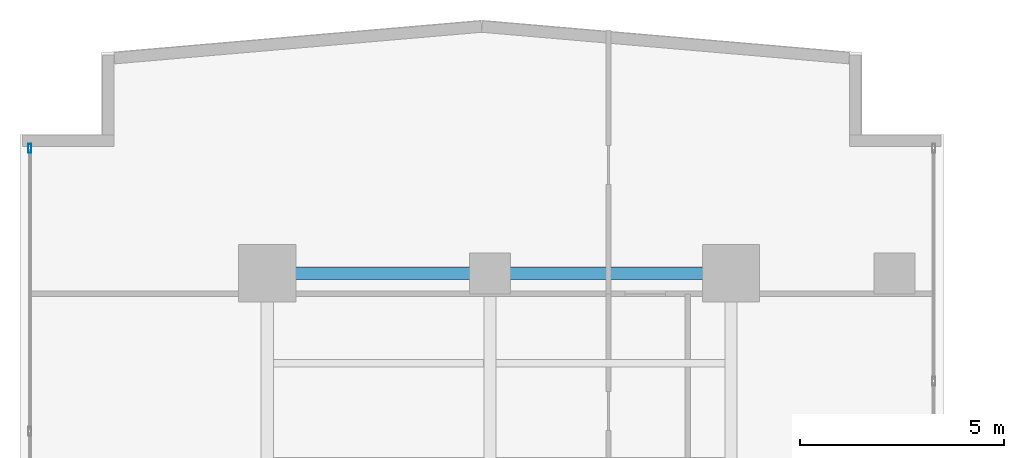
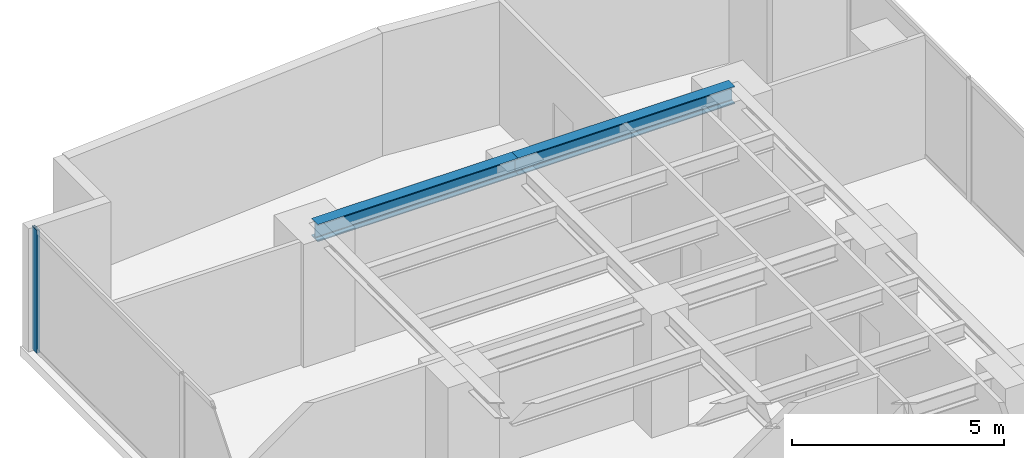
# One storey, part 16 of 24: 2 beams, 1 member, 1 element without a shape of its own.
"""IFC4 building model written with IfcOpenShell, lengths in metres."""

from ifc_helpers import new_model, si_unit, direction, frame, origin, origin_with_axes, origin_2d, place, context, subcontext, project, spatial, hollow_rectangle, i_section, extrude, source, transform, mapped, material, layer, layer_set, material_profile, profile_set, type_object, element, aggregate, save


model = new_model("IFC4")

# Units and contexts
model_context = context("Model", 3, precision=1e-05, world=origin(), true_north=direction((0.0, 1.0)))
body_context = subcontext(model_context, "Body", "Model", "MODEL_VIEW")
ifc_project = project(units=[si_unit("LENGTHUNIT", "METRE"), si_unit("AREAUNIT", "SQUARE_METRE"), si_unit("VOLUMEUNIT", "CUBIC_METRE"), si_unit("PLANEANGLEUNIT", "RADIAN"), si_unit("MASSUNIT", "GRAM", prefix="KILO")], contexts=[model_context])

# Site, building, storey
site_placement = place(None, origin())
site = spatial("IfcSite", under=ifc_project, at=site_placement, CompositionType="ELEMENT")
building_placement = place(site_placement, origin())
building = spatial("IfcBuilding", under=site, at=building_placement, Name="Kolvaren Waterfront Exchange", CompositionType="ELEMENT")
storey_placement = place(building_placement, frame((0.0, 0.0, 91.699951171875)))
storey = spatial("IfcBuildingStorey", under=building, at=storey_placement, Name="L23", CompositionType="ELEMENT", Elevation=91.699951171875)

# Beams
ifc_material_1 = material(Name="Steel S355", Category="steel")
ifc_material_profile_1 = material_profile(ifc_material_1, i_section(OverallWidth=0.300048828125, OverallDepth=0.5, WebThickness=0.014404296875, FlangeThickness=0.028076171875, FilletRadius=0.027099609375, at=origin_2d()), Name="HEB500")
ifc_profile_set_1 = profile_set([ifc_material_profile_1], Name="Steel S355")
beam_type = type_object("IfcBeamType", Name="STR-BM-HEB500", PredefinedType="BEAM", material=ifc_profile_set_1)
beam_1_placement = place(storey_placement, frame((7.449951171875, 44.60009765625, 3.2900390625), z_axis=(1.0, 0.0, 0.0), x_axis=(0.0, 1.0, 0.0)))
element("IfcBeam", 1, at=beam_1_placement, inside=storey, type_object=beam_type, Name="L23 north-arm girder 4A", PredefinedType="BEAM", context=body_context, shape_type="SweptSolid", body=[
    extrude(i_section(OverallWidth=0.300048828125, OverallDepth=0.5, WebThickness=0.014404296875, FlangeThickness=0.028076171875, FilletRadius=0.027099609375, at=origin_2d()), origin(), (0.0, 0.0, 1.0), 5.449951171875),
])
beam_2_placement = place(storey_placement, frame((12.89990234375, 44.60009765625, 3.2900390625), z_axis=(1.0, 0.0, 0.0), x_axis=(0.0, 1.0, 0.0)))
element("IfcBeam", 2, at=beam_2_placement, inside=storey, type_object=beam_type, Name="L23 north-arm girder 4B", PredefinedType="BEAM", context=body_context, shape_type="SweptSolid", body=[
    extrude(i_section(OverallWidth=0.300048828125, OverallDepth=0.5, WebThickness=0.014404296875, FlangeThickness=0.028076171875, FilletRadius=0.027099609375, at=origin_2d()), origin(), (0.0, 0.0, 1.0), 5.900146484375),
])

# Curtain wall, member
ifc_material_2 = material(Name="Anodised aluminium 6063-T6", Category="aluminium")
ifc_layer = layer(ifc_material_2, 0.219970703125, Name="Anodised aluminium 6063-T6")
ifc_layer_set = layer_set([ifc_layer], Name="Anodised aluminium 6063-T6")
curtain_wall_type = type_object("IfcCurtainWallType", Name="ARC-CW-SYS2", PredefinedType="USERDEFINED", material=ifc_layer_set)
curtain_wall_placement = place(storey_placement, origin())
curtain_wall = element("IfcCurtainWall", 3, at=curtain_wall_placement, inside=storey, type_object=curtain_wall_type, Name="L23 stick curtain wall CW2 (CW-L23-W)", ObjectType="STICK CURTAIN WALL", PredefinedType="USERDEFINED")
ifc_material_profile_2 = material_profile(ifc_material_2, hollow_rectangle(XDim=0.080078125, YDim=0.219970703125, WallThickness=0.0048828125, at=origin_2d()), Name="ALU-MUL-220x80x5")
ifc_profile_set_2 = profile_set([ifc_material_profile_2], Name="Anodised aluminium 6063-T6")
member_type = type_object("IfcMemberType", Name="ARC-CWM-220", PredefinedType="MULLION", material=ifc_profile_set_2)
shared_shape = source(origin_with_axes(), body_context, "Body", "SweptSolid", [
    extrude(hollow_rectangle(XDim=0.080078125, YDim=0.219970703125, WallThickness=0.0048828125, at=origin_2d()), origin(), (0.0, 0.0, 1.0), 3.5400390625),
])
member_placement = place(storey_placement, frame((1.639892578125, 47.659912109375, 0.0), z_axis=(0.0, 0.0, 1.0), x_axis=(-1.0, 0.0, 0.0)))
member = element("IfcMember", 4, at=member_placement, type_object=member_type, Name="CW2 mullion 7", PredefinedType="MULLION", context=body_context, shape_type="MappedRepresentation", body=[
    mapped(shared_shape, transform((0.0, 0.0, 0.0), x_axis=(1.0, 0.0, 0.0), y_axis=(0.0, 1.0, 0.0), z_axis=(0.0, 0.0, 1.0), scale=1.0)),
])
aggregate(curtain_wall, [member])

save(model, "model.ifc")
